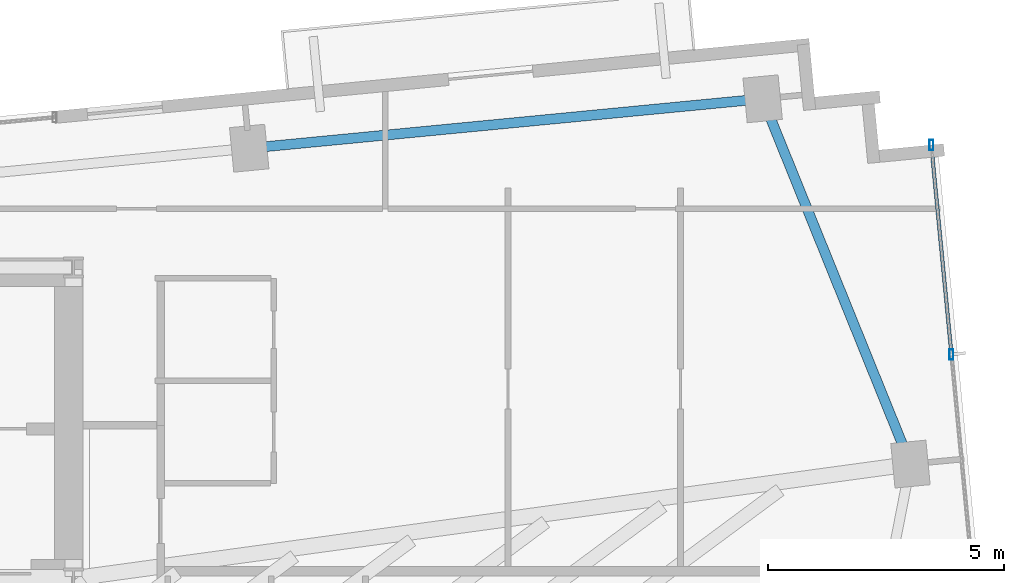
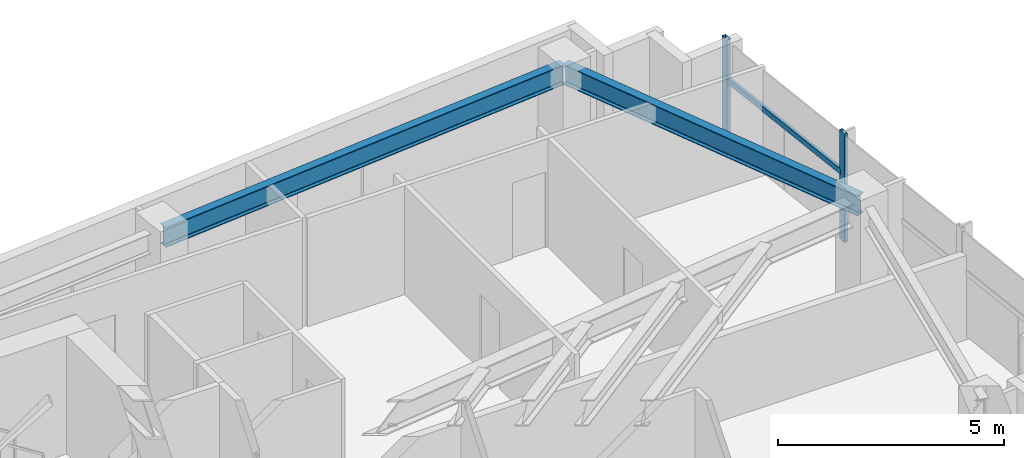
# One storey, part 11 of 18: 3 members, 2 beams, 1 element without a shape of its own.
"""IFC4 building model written with IfcOpenShell, lengths in metres."""

from ifc_helpers import new_model, si_unit, direction, frame, origin, origin_2d, place, context, subcontext, project, spatial, hollow_rectangle, i_section, extrude, source, transform, mapped, material, material_profile, profile_set, type_object, type_shapes, element, aggregate, save


model = new_model("IFC4")

# Units and contexts
model_context = context("Model", 3, precision=1e-05, world=origin(), true_north=direction((0.0, 1.0)))
body_context = subcontext(model_context, "Body", "Model", "MODEL_VIEW")
ifc_project = project(units=[si_unit("LENGTHUNIT", "METRE"), si_unit("AREAUNIT", "SQUARE_METRE"), si_unit("VOLUMEUNIT", "CUBIC_METRE"), si_unit("PLANEANGLEUNIT", "RADIAN"), si_unit("MASSUNIT", "GRAM", prefix="KILO")], contexts=[model_context])

# Site, building, storey
site_placement = place(None, origin())
site = spatial("IfcSite", under=ifc_project, at=site_placement, CompositionType="ELEMENT")
building_placement = place(site_placement, origin())
building = spatial("IfcBuilding", under=site, at=building_placement, Name="Astriad Promenade Condominiums", CompositionType="ELEMENT")
storey_placement = place(building_placement, frame((0.0, 0.0, 189.0)))
storey = spatial("IfcBuildingStorey", under=building, at=storey_placement, Name="L54", CompositionType="ELEMENT", Elevation=189.0)

# Beams
ifc_material_1 = material(Name="Steel ASTM A992 Grade 50", Category="steel")
ifc_material_profile_1 = material_profile(ifc_material_1, i_section(OverallWidth=0.210693359375, OverallDepth=0.53955078125, WebThickness=0.01171875, FlangeThickness=0.018798828125, FilletRadius=0.0166015625, at=origin_2d()), Name="W21X73")
ifc_profile_set_1 = profile_set([ifc_material_profile_1], Name="Steel ASTM A992 Grade 50")
beam_type = type_object("IfcBeamType", Name="STEEL SPANDREL BEAM W21X73", PredefinedType="SPANDREL", material=ifc_profile_set_1)
shared_shape_1 = source(origin(), body_context, "Body", "SweptSolid", [
    extrude(i_section(OverallWidth=0.210693359375, OverallDepth=0.53955078125, WebThickness=0.01171875, FlangeThickness=0.018798828125, FilletRadius=0.0166015625, at=origin_2d()), origin(), (0.0, 0.0, 1.0), 10.8701171875),
])
beam_1_placement = place(storey_placement, frame((60.190673828125, 27.578369140625, 2.67041015625), z_axis=(-0.995394986184, -0.09585834069, 0.0), x_axis=(0.09585834069, -0.995394986184, 0.0)))
element("IfcBeam", 1, at=beam_1_placement, inside=storey, type_object=beam_type, Name="Perimeter Spandrel Beam SP-N4-L54", PredefinedType="SPANDREL", context=body_context, shape_type="MappedRepresentation", body=[
    mapped(shared_shape_1, transform((0.0, 0.0, 0.0), scale=1.0)),
])
shared_shape_2 = source(origin(), body_context, "Body", "SweptSolid", [
    extrude(i_section(OverallWidth=0.210693359375, OverallDepth=0.53955078125, WebThickness=0.01171875, FlangeThickness=0.018798828125, FilletRadius=0.0166015625, at=origin_2d()), origin(), (0.0, 0.0, 1.0), 8.28564453125),
])
type_shapes(beam_type, [shared_shape_1, shared_shape_2])
beam_2_placement = place(storey_placement, frame((63.353271484375, 19.8642578125, 2.67041015625), z_axis=(-0.375070987134, 0.926996092014, 0.0), x_axis=(-0.926996092014, -0.375070987134, 0.0)))
element("IfcBeam", 2, at=beam_2_placement, inside=storey, type_object=beam_type, Name="Perimeter Spandrel Beam SP-E2-L54", PredefinedType="SPANDREL", context=body_context, shape_type="MappedRepresentation", body=[
    mapped(shared_shape_2, transform((0.0, 0.0, 0.0), scale=1.0)),
])

# Curtain wall, members
ifc_material_2 = material(Name="Anodised aluminium Black Dark Glass Unitised", Category="aluminium")
curtain_wall_type = type_object("IfcCurtainWallType", Name="CW-B34-DARK", PredefinedType="USERDEFINED", material=ifc_material_2)
curtain_wall_placement = place(storey_placement, origin())
curtain_wall = element("IfcCurtainWall", 3, at=curtain_wall_placement, inside=storey, type_object=curtain_wall_type, Name="CW-L54-E", ObjectType="UNITISED_CURTAIN_WALL", PredefinedType="USERDEFINED")
ifc_material_3 = material(Name="Anodised aluminium 6063-T6 Black", Category="aluminium")
ifc_material_profile_2 = material_profile(ifc_material_3, hollow_rectangle(XDim=0.0849609375, YDim=0.219970703125, WallThickness=0.0048828125, at=origin_2d()), Name="ALU-MUL-85X220")
ifc_profile_set_2 = profile_set([ifc_material_profile_2], Name="Anodised aluminium 6063-T6 Black")
member_type_1 = type_object("IfcMemberType", Name="MUL-ALU-MUL-85X220", PredefinedType="MULLION", material=ifc_profile_set_2)
shared_shape_3 = source(origin(), body_context, "Body", "SweptSolid", [
    extrude(hollow_rectangle(XDim=0.0849609375, YDim=0.219970703125, WallThickness=0.0048828125, at=origin_2d()), origin(), (0.0, 0.0, 1.0), 2.93994140625),
])
type_shapes(member_type_1, [shared_shape_3])
member_1_placement = place(storey_placement, frame((63.81103515625, 26.6005859375, 0.0), z_axis=(0.0, 0.0, 1.0), x_axis=(1.0, 0.0, 0.0)))
member_1 = element("IfcMember", 4, at=member_1_placement, type_object=member_type_1, Name="CW-L54-E-MUL-00", PredefinedType="MULLION", context=body_context, shape_type="MappedRepresentation", body=[
    mapped(shared_shape_3, transform((0.0, 0.0, 0.0), scale=1.0)),
])
member_2_placement = place(storey_placement, frame((64.239013671875, 22.154541015625, 0.0), z_axis=(0.0, 0.0, 1.0), x_axis=(1.0, 0.0, 0.0)))
member_2 = element("IfcMember", 5, at=member_2_placement, type_object=member_type_1, Name="CW-L54-E-MUL-01", PredefinedType="MULLION", context=body_context, shape_type="MappedRepresentation", body=[
    mapped(shared_shape_3, transform((0.0, 0.0, 0.0), scale=1.0)),
])
ifc_material_profile_3 = material_profile(ifc_material_3, hollow_rectangle(XDim=0.074951171875, YDim=0.14990234375, WallThickness=0.004150390625, at=origin_2d()), Name="ALU-TRN-75X150")
ifc_profile_set_3 = profile_set([ifc_material_profile_3], Name="Anodised aluminium 6063-T6 Black")
member_type_2 = type_object("IfcMemberType", Name="TRN-ALU-TRN-75X150", PredefinedType="USERDEFINED", material=ifc_profile_set_3)
shared_shape_4 = source(origin(), body_context, "Body", "SweptSolid", [
    extrude(hollow_rectangle(XDim=0.074951171875, YDim=0.14990234375, WallThickness=0.004150390625, at=origin_2d()), origin(), (0.0, 0.0, 1.0), 4.466552734375),
])
type_shapes(member_type_2, [shared_shape_4])
member_3_placement = place(storey_placement, frame((63.81103515625, 26.6005859375, 1.82275390625), z_axis=(0.095817598554, -0.995398908884, 0.0), x_axis=(0.995398908884, 0.095817598554, 0.0)))
member_3 = element("IfcMember", 6, at=member_3_placement, type_object=member_type_2, Name="CW-L54-E-TRN-00-0", ObjectType="TRANSOM", PredefinedType="USERDEFINED", context=body_context, shape_type="MappedRepresentation", body=[
    mapped(shared_shape_4, transform((0.0, 0.0, 0.0), scale=1.0)),
])
aggregate(curtain_wall, [member_1, member_2, member_3])

save(model, "model.ifc")
